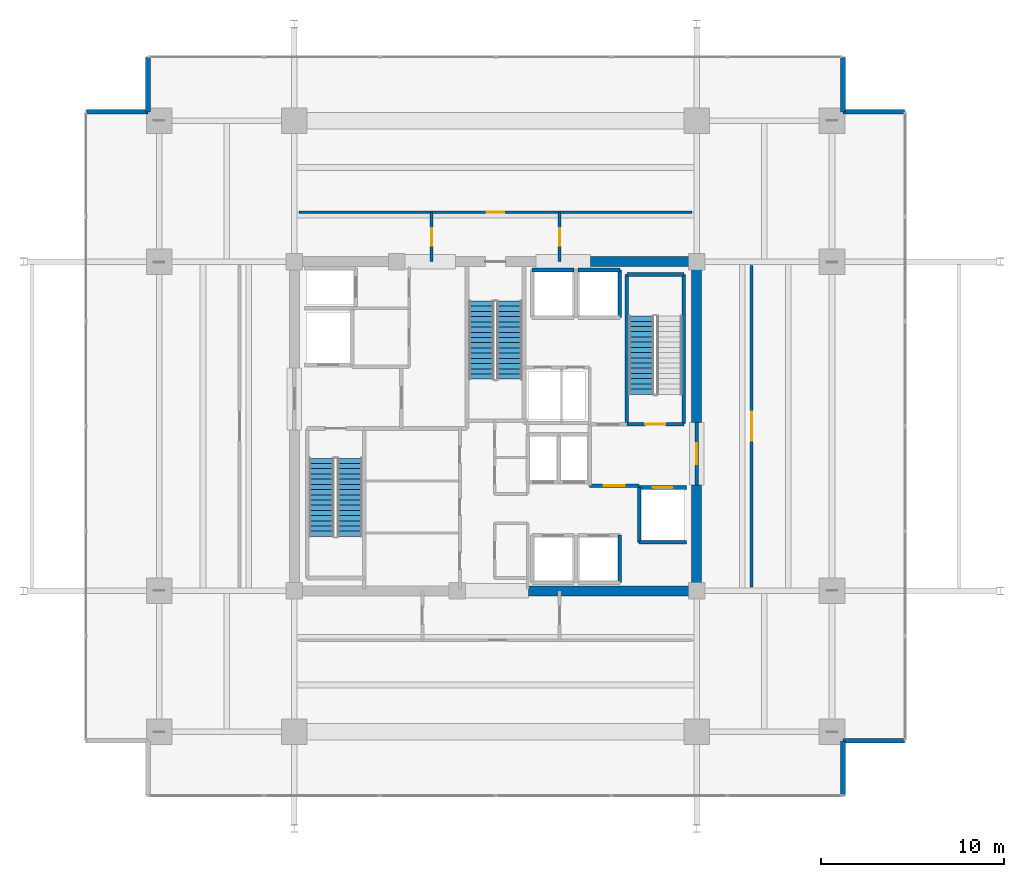
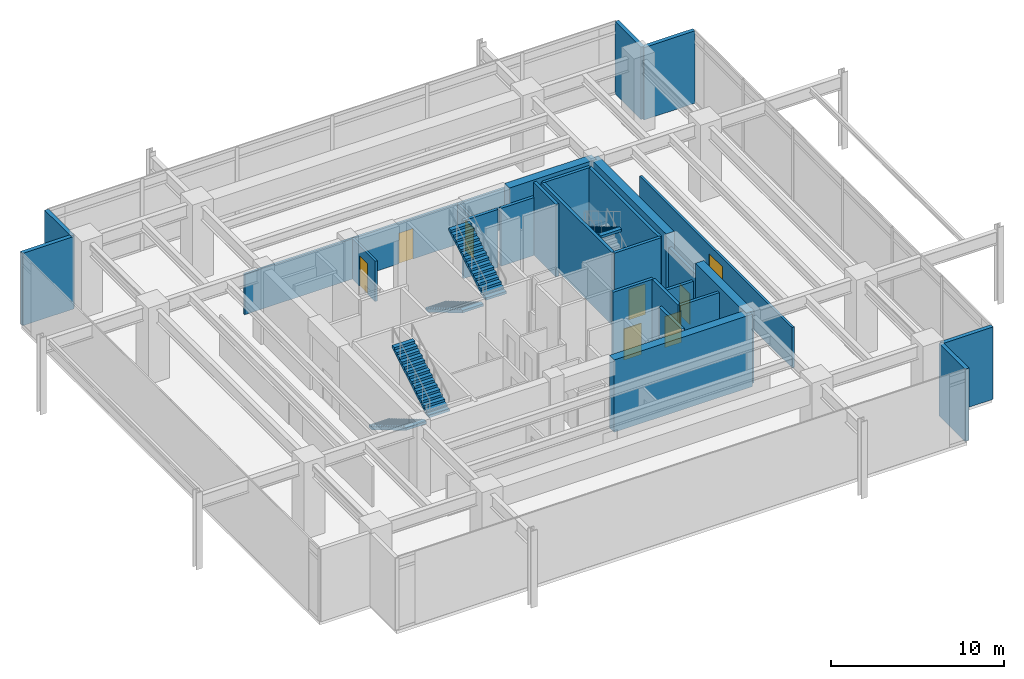
# One storey, part 22 of 24: 27 walls, 8 doors, 5 stair flights, 8 openings, 3 elements without a shape of their own.
"""IFC4 building model written with IfcOpenShell, lengths in metres."""

from ifc_helpers import new_model, si_unit, direction, frame, frame_2d, origin, place, context, subcontext, project, spatial, polyline, rectangle, outline, extrude, material, layer, layer_set, type_object, element, fill, aggregate, save


model = new_model("IFC4")

# Units and contexts
model_context = context("Model", 3, precision=1e-05, world=origin(), true_north=direction((0.0, 1.0)))
body_context = subcontext(model_context, "Body", "Model", "MODEL_VIEW")
ifc_project = project(units=[si_unit("LENGTHUNIT", "METRE"), si_unit("AREAUNIT", "SQUARE_METRE"), si_unit("VOLUMEUNIT", "CUBIC_METRE"), si_unit("PLANEANGLEUNIT", "RADIAN"), si_unit("MASSUNIT", "GRAM", prefix="KILO")], contexts=[model_context])

# Site, building, storey
site_placement = place(None, origin())
site = spatial("IfcSite", under=ifc_project, at=site_placement, CompositionType="ELEMENT")
building_placement = place(site_placement, origin())
building = spatial("IfcBuilding", under=site, at=building_placement, Name="Kovane Verandah Tower", CompositionType="ELEMENT")
storey_placement = place(building_placement, frame((0.0, 0.0, 194.800048828125)))
storey = spatial("IfcBuildingStorey", under=building, at=storey_placement, Name="L45", CompositionType="ELEMENT", Elevation=194.800048828125)

# Wall, opening, door
ifc_material_1 = material(Name="Fire-Rated Gypsum Stud Partition", Category="gypsum")
ifc_layer_1 = layer(ifc_material_1, 0.14990234375)
ifc_layer_set_1 = layer_set([ifc_layer_1], Name="Fire-Rated Gypsum Stud Partition")
wall_type_1 = type_object("IfcWallType", Name="WL-COR-150", PredefinedType="PARTITIONING", material=ifc_layer_set_1)
wall_1_placement = place(storey_placement, frame((36.5, 36.5, 0.0), z_axis=(0.0, 0.0, 1.0), x_axis=(0.0, 1.0, 0.0)))
wall_1 = element("IfcWall", 1, at=wall_1_placement, inside=storey, type_object=wall_type_1, Name="L45 North Refuge Stair Lobby West Fire Wall", PredefinedType="PARTITIONING", context=body_context, shape_type="SweptSolid", body=[
    extrude(rectangle(XDim=2.699951171875, YDim=0.14990234375, at=frame_2d((1.35009765625, 0.0))), origin(), (0.0, 0.0, 1.0), 2.849853515625),
])
opening_1_placement = place(wall_1_placement, frame((0.875, 0.0, 0.0)))
opening_1 = element("IfcOpeningElement", 2, at=opening_1_placement, cuts=wall_1, Name="Opening DR-L45-008", PredefinedType="OPENING", context=body_context, shape_type="SweptSolid", body=[
    extrude(rectangle(XDim=0.949951171875, YDim=2.14990234375, at=frame_2d((0.47509765625, 1.074951171875))), frame((0.0, 0.074951171875, 0.0), z_axis=(0.0, -1.0, 0.0), x_axis=(1.0, 0.0, 0.0)), (0.0, 0.0, 1.0), 0.14990234375),
])
ifc_material_2 = material(Name="Fire-Rated Steel Refuge and Lobby Door", Category="steel")
door_type_1 = type_object("IfcDoorType", Name="DR-FIRE-950", OperationType="SINGLE_SWING_LEFT", PredefinedType="DOOR", material=ifc_material_2)
door_1_placement = place(opening_1_placement, origin())
door_1 = element("IfcDoor", 3, at=door_1_placement, inside=storey, type_object=door_type_1, Name="L45 North Refuge Stair Lobby West Fire Door", OperationType="SINGLE_SWING_RIGHT", OverallHeight=2.14990234375, OverallWidth=0.949951171875, PredefinedType="DOOR", context=body_context, shape_type="SweptSolid", body=[
    extrude(rectangle(XDim=0.949951171875, YDim=2.14990234375, at=frame_2d((0.47509765625, 1.074951171875))), frame((0.0, 0.02490234375, 0.0), z_axis=(0.0, -1.0, 0.0), x_axis=(1.0, 0.0, 0.0)), (0.0, 0.0, 1.0), 0.050048828125),
])
fill(opening_1, door_1)

wall_2_placement = place(storey_placement, frame((43.5, 36.5, 0.0), z_axis=(0.0, 0.0, 1.0), x_axis=(0.0, 1.0, 0.0)))
wall_2 = element("IfcWall", 4, at=wall_2_placement, inside=storey, type_object=wall_type_1, Name="L45 North Refuge Stair Lobby East Fire Wall", PredefinedType="PARTITIONING", context=body_context, shape_type="SweptSolid", body=[
    extrude(rectangle(XDim=2.699951171875, YDim=0.14990234375, at=frame_2d((1.35009765625, 0.0))), origin(), (0.0, 0.0, 1.0), 2.849853515625),
])
opening_2_placement = place(wall_2_placement, frame((0.875, 0.0, 0.0)))
opening_2 = element("IfcOpeningElement", 5, at=opening_2_placement, cuts=wall_2, Name="Opening DR-L45-007", PredefinedType="OPENING", context=body_context, shape_type="SweptSolid", body=[
    extrude(rectangle(XDim=0.949951171875, YDim=2.14990234375, at=frame_2d((0.47509765625, 1.074951171875))), frame((0.0, 0.074951171875, 0.0), z_axis=(0.0, -1.0, 0.0), x_axis=(1.0, 0.0, 0.0)), (0.0, 0.0, 1.0), 0.14990234375),
])
door_2_placement = place(opening_2_placement, origin())
door_2 = element("IfcDoor", 6, at=door_2_placement, inside=storey, type_object=door_type_1, Name="L45 North Refuge Stair Lobby East Fire Door", OperationType="SINGLE_SWING_LEFT", OverallHeight=2.14990234375, OverallWidth=0.949951171875, PredefinedType="DOOR", context=body_context, shape_type="SweptSolid", body=[
    extrude(rectangle(XDim=0.949951171875, YDim=2.14990234375, at=frame_2d((0.47509765625, 1.074951171875))), frame((0.0, 0.02490234375, 0.0), z_axis=(0.0, -1.0, 0.0), x_axis=(1.0, 0.0, 0.0)), (0.0, 0.0, 1.0), 0.050048828125),
])
fill(opening_2, door_2)

wall_3_placement = place(storey_placement, frame((29.25, 39.199951171875, 0.0), z_axis=(0.0, 0.0, 1.0), x_axis=(1.0, 0.0, 0.0)))
wall_3 = element("IfcWall", 7, at=wall_3_placement, inside=storey, type_object=wall_type_1, Name="L45 Open-Sided Refuge Area North Corridor Partition", PredefinedType="PARTITIONING", context=body_context, shape_type="SweptSolid", body=[
    extrude(rectangle(XDim=21.5, YDim=0.14990234375, at=frame_2d((10.75, 0.0))), origin(), (0.0, 0.0, 1.0), 2.849853515625),
])
opening_3_placement = place(wall_3_placement, frame((10.27490234375, 0.0, 0.0)))
opening_3 = element("IfcOpeningElement", 8, at=opening_3_placement, cuts=wall_3, Name="Opening DR-L45-020", PredefinedType="OPENING", context=body_context, shape_type="SweptSolid", body=[
    extrude(rectangle(XDim=0.949951171875, YDim=2.14990234375, at=frame_2d((0.47509765625, 1.074951171875))), frame((0.0, 0.074951171875, 0.0), z_axis=(0.0, -1.0, 0.0), x_axis=(1.0, 0.0, 0.0)), (0.0, 0.0, 1.0), 0.14990234375),
])
door_3_placement = place(opening_3_placement, origin())
door_3 = element("IfcDoor", 9, at=door_3_placement, inside=storey, type_object=door_type_1, Name="L45 Open-Sided Refuge Area North Entrance Door", OperationType="SINGLE_SWING_RIGHT", OverallHeight=2.14990234375, OverallWidth=0.949951171875, PredefinedType="DOOR", context=body_context, shape_type="SweptSolid", body=[
    extrude(rectangle(XDim=0.949951171875, YDim=2.14990234375, at=frame_2d((0.47509765625, 1.074951171875))), frame((0.0, 0.02490234375, 0.0), z_axis=(0.0, -1.0, 0.0), x_axis=(1.0, 0.0, 0.0)), (0.0, 0.0, 1.0), 0.050048828125),
])
fill(opening_3, door_3)

wall_4_placement = place(storey_placement, frame((54.0, 18.699951171875, 0.0), z_axis=(0.0, 0.0, 1.0), x_axis=(0.0, 1.0, 0.0)))
wall_4 = element("IfcWall", 10, at=wall_4_placement, inside=storey, type_object=wall_type_1, Name="L45 Electrical Switchroom Plant East Corridor Partition", PredefinedType="PARTITIONING", context=body_context, shape_type="SweptSolid", body=[
    extrude(rectangle(XDim=17.60009765625, YDim=0.14990234375, at=frame_2d((8.800048828125, 0.0))), origin(), (0.0, 0.0, 1.0), 2.849853515625),
])
opening_4_placement = place(wall_4_placement, frame((8.0, 0.0, 0.0)))
opening_4 = element("IfcOpeningElement", 11, at=opening_4_placement, cuts=wall_4, Name="Opening DR-L45-014", PredefinedType="OPENING", context=body_context, shape_type="SweptSolid", body=[
    extrude(rectangle(XDim=1.60009765625, YDim=2.25, at=frame_2d((0.800048828125, 1.125))), frame((0.0, 0.074951171875, 0.0), z_axis=(0.0, -1.0, 0.0), x_axis=(1.0, 0.0, 0.0)), (0.0, 0.0, 1.0), 0.14990234375),
])
ifc_material_3 = material(Name="Louvred Acoustic Steel Double Plant Door", Category="steel")
door_type_2 = type_object("IfcDoorType", Name="DR-PLANT-1600", OperationType="DOUBLE_DOOR_SINGLE_SWING", PredefinedType="DOOR", material=ifc_material_3)
door_4_placement = place(opening_4_placement, origin())
door_4 = element("IfcDoor", 12, at=door_4_placement, inside=storey, type_object=door_type_2, Name="L45 Electrical Switchroom Plant East Entrance Door", OperationType="DOUBLE_DOOR_SINGLE_SWING", OverallHeight=2.25, OverallWidth=1.60009765625, PredefinedType="DOOR", context=body_context, shape_type="SweptSolid", body=[
    extrude(rectangle(XDim=1.60009765625, YDim=2.25, at=frame_2d((0.800048828125, 1.125))), frame((0.0, 0.02490234375, 0.0), z_axis=(0.0, -1.0, 0.0), x_axis=(1.0, 0.0, 0.0)), (0.0, 0.0, 1.0), 0.050048828125),
])
fill(opening_4, door_4)

# Walls
ifc_material_4 = material(Name="Concrete C60/75", Category="concrete")
ifc_layer_2 = layer(ifc_material_4, 0.550048828125)
ifc_layer_set_2 = layer_set([ifc_layer_2], Name="Concrete C60/75")
wall_type_2 = type_object("IfcWallType", Name="WL-CORE-550", PredefinedType="SHEAR", material=ifc_layer_set_2)
wall_5_placement = place(storey_placement, frame((41.800048828125, 18.5, 0.0), z_axis=(0.0, 0.0, 1.0), x_axis=(1.0, 0.0, 0.0)))
element("IfcWall", 13, at=wall_5_placement, inside=storey, type_object=wall_type_2, Name="L45 Core Shear Wall CS-2", PredefinedType="SHEAR", context=body_context, shape_type="SweptSolid", body=[
    extrude(rectangle(XDim=9.199951171875, YDim=0.550048828125, at=frame_2d((4.60009765625, 0.0))), origin(), (0.0, 0.0, 1.0), 5.099853515625),
])
for number, where, z_axis, x_axis, name in (
    (14, (45.199951171875, 36.5, 0.0), (0.0, 0.0, 1.0), (1.0, 0.0, 0.0), "L45 Core Shear Wall CN-3"),
    (15, (51.0, 18.5, 0.0), (0.0, 0.0, 1.0), (0.0, 1.0, 0.0), "L45 Core Shear Wall CE-1"),
):
    element("IfcWall", number, at=place(storey_placement, frame(where, z_axis=z_axis, x_axis=x_axis)), inside=storey, type_object=wall_type_2, Name=name, PredefinedType="SHEAR", context=body_context, shape_type="SweptSolid", body=[
        extrude(rectangle(XDim=5.800048828125, YDim=0.550048828125, at=frame_2d((2.89990234375, 0.0))), origin(), (0.0, 0.0, 1.0), 5.099853515625),
    ])
wall_6_placement = place(storey_placement, frame((51.0, 27.699951171875, 0.0), z_axis=(0.0, 0.0, 1.0), x_axis=(0.0, 1.0, 0.0)))
element("IfcWall", 16, at=wall_6_placement, inside=storey, type_object=wall_type_2, Name="L45 Core Shear Wall CE-2", PredefinedType="SHEAR", context=body_context, shape_type="SweptSolid", body=[
    extrude(rectangle(XDim=8.800048828125, YDim=0.550048828125, at=frame_2d((4.39990234375, 0.0))), origin(), (0.0, 0.0, 1.0), 5.099853515625),
])

# Wall, opening, door
ifc_material_5 = material(Name="Concrete C45/55 Fire Wall", Category="concrete")
ifc_layer_3 = layer(ifc_material_5, 0.199951171875)
ifc_layer_set_3 = layer_set([ifc_layer_3], Name="Concrete C45/55 Fire Wall")
wall_type_3 = type_object("IfcWallType", Name="WL-FFL-200", PredefinedType="PARTITIONING", material=ifc_layer_set_3)
wall_7_placement = place(storey_placement, frame((45.14990234375, 24.25, 0.0), z_axis=(0.0, 0.0, 1.0), x_axis=(1.0, 0.0, 0.0)))
wall_7 = element("IfcWall", 17, at=wall_7_placement, inside=storey, type_object=wall_type_3, Name="W-L45-FFLE-S", PredefinedType="PARTITIONING", context=body_context, shape_type="SweptSolid", body=[
    extrude(rectangle(XDim=2.7001953125, YDim=0.199951171875, at=frame_2d((1.35009765625, 0.0))), origin(), (0.0, 0.0, 1.0), 5.099853515625),
])
opening_5_placement = place(wall_7_placement, frame((0.77490234375, 0.0, 0.0)))
opening_5 = element("IfcOpeningElement", 18, at=opening_5_placement, cuts=wall_7, Name="Opening DR-L45-001", PredefinedType="OPENING", context=body_context, shape_type="SweptSolid", body=[
    extrude(rectangle(XDim=1.14990234375, YDim=2.199951171875, at=frame_2d((0.574951171875, 1.10009765625))), frame((0.0, 0.10009765625, 0.0), z_axis=(0.0, -1.0, 0.0), x_axis=(1.0, 0.0, 0.0)), (0.0, 0.0, 1.0), 0.199951171875),
])
ifc_material_6 = material(Name="Smoke-Sealed Firefighting Lobby Door", Category="steel")
door_type_3 = type_object("IfcDoorType", Name="DR-FFL-1150", OperationType="SINGLE_SWING_LEFT", PredefinedType="DOOR", material=ifc_material_6)
door_5_placement = place(opening_5_placement, origin())
door_5 = element("IfcDoor", 19, at=door_5_placement, inside=storey, type_object=door_type_3, Name="L45 East Firefighting Lobby Inner Door", OperationType="SINGLE_SWING_RIGHT", OverallHeight=2.199951171875, OverallWidth=1.14990234375, PredefinedType="DOOR", context=body_context, shape_type="SweptSolid", body=[
    extrude(rectangle(XDim=1.14990234375, YDim=2.199951171875, at=frame_2d((0.574951171875, 1.10009765625))), frame((0.0, 0.02490234375, 0.0), z_axis=(0.0, -1.0, 0.0), x_axis=(1.0, 0.0, 0.0)), (0.0, 0.0, 1.0), 0.050048828125),
])
fill(opening_5, door_5)

wall_8_placement = place(storey_placement, frame((51.0, 24.300048828125, 0.0), z_axis=(0.0, 0.0, 1.0), x_axis=(0.0, 1.0, 0.0)))
wall_8 = element("IfcWall", 20, at=wall_8_placement, inside=storey, type_object=wall_type_3, Name="W-L45-FFLE-OUT", PredefinedType="PARTITIONING", context=body_context, shape_type="SweptSolid", body=[
    extrude(rectangle(XDim=3.39990234375, YDim=0.199951171875, at=frame_2d((1.699951171875, 0.0))), origin(), (0.0, 0.0, 1.0), 4.079833984375),
])
opening_6_placement = place(wall_8_placement, frame((1.125, 0.0, 0.0)))
opening_6 = element("IfcOpeningElement", 21, at=opening_6_placement, cuts=wall_8, Name="Opening DR-L45-003", PredefinedType="OPENING", context=body_context, shape_type="SweptSolid", body=[
    extrude(rectangle(XDim=1.14990234375, YDim=2.199951171875, at=frame_2d((0.574951171875, 1.10009765625))), frame((0.0, 0.10009765625, 0.0), z_axis=(0.0, -1.0, 0.0), x_axis=(1.0, 0.0, 0.0)), (0.0, 0.0, 1.0), 0.199951171875),
])
door_6_placement = place(opening_6_placement, origin())
door_6 = element("IfcDoor", 22, at=door_6_placement, inside=storey, type_object=door_type_3, Name="L45 East Firefighting Lobby Corridor Door", OperationType="SINGLE_SWING_LEFT", OverallHeight=2.199951171875, OverallWidth=1.14990234375, PredefinedType="DOOR", context=body_context, shape_type="SweptSolid", body=[
    extrude(rectangle(XDim=1.14990234375, YDim=2.199951171875, at=frame_2d((0.574951171875, 1.10009765625))), frame((0.0, 0.02490234375, 0.0), z_axis=(0.0, -1.0, 0.0), x_axis=(1.0, 0.0, 0.0)), (0.0, 0.0, 1.0), 0.050048828125),
])
fill(opening_6, door_6)

# Wall
ifc_material_7 = material(Name="Concrete C45/55 Lift Shaft Wall", Category="concrete")
ifc_layer_4 = layer(ifc_material_7, 0.199951171875)
ifc_layer_set_4 = layer_set([ifc_layer_4], Name="Concrete C45/55 Lift Shaft Wall")
wall_type_4 = type_object("IfcWallType", Name="WL-LIFT-200", PredefinedType="SOLIDWALL", material=ifc_layer_set_4)
wall_9_placement = place(storey_placement, frame((47.85009765625, 21.14990234375, 0.0), z_axis=(0.0, 0.0, 1.0), x_axis=(1.0, 0.0, 0.0)))
element("IfcWall", 23, at=wall_9_placement, inside=storey, type_object=wall_type_4, Name="L45 Lift FL-02 S Shaft Wall", PredefinedType="SOLIDWALL", context=body_context, shape_type="SweptSolid", body=[
    extrude(rectangle(XDim=2.599853515625, YDim=0.199951171875, at=frame_2d((1.2998046875, 0.0))), origin(), (0.0, 0.0, 1.0), 5.099853515625),
])

# Wall, opening, door
wall_10_placement = place(storey_placement, frame((50.449951171875, 24.14990234375, 0.0), z_axis=(0.0, 0.0, 1.0), x_axis=(-1.0, 0.0, 0.0)))
wall_10 = element("IfcWall", 24, at=wall_10_placement, inside=storey, type_object=wall_type_4, Name="L45 Lift FL-02 N Shaft Wall", PredefinedType="SOLIDWALL", context=body_context, shape_type="SweptSolid", body=[
    extrude(rectangle(XDim=2.599853515625, YDim=0.199951171875, at=frame_2d((1.2998046875, 0.0))), origin(), (0.0, 0.0, 1.0), 4.079833984375),
])
opening_7_placement = place(wall_10_placement, frame((0.75, 0.0, 0.0)))
opening_7 = element("IfcOpeningElement", 25, at=opening_7_placement, cuts=wall_10, Name="Opening LD-L45-002", PredefinedType="OPENING", context=body_context, shape_type="SweptSolid", body=[
    extrude(rectangle(XDim=1.10009765625, YDim=2.199951171875, at=frame_2d((0.550048828125, 1.10009765625))), frame((0.0, 0.10009765625, 0.0), z_axis=(0.0, -1.0, 0.0), x_axis=(1.0, 0.0, 0.0)), (0.0, 0.0, 1.0), 0.199951171875),
])
ifc_material_8 = material(Name="Brushed Stainless Steel Sliding Lift Landing Door", Category="steel")
door_type_4 = type_object("IfcDoorType", Name="DR-LIFT-1100", OperationType="SLIDING_TO_RIGHT", PredefinedType="DOOR", material=ifc_material_8)
door_7_placement = place(opening_7_placement, origin())
door_7 = element("IfcDoor", 26, at=door_7_placement, inside=storey, type_object=door_type_4, Name="L45 Lift FL-02 Sliding Landing Door", OperationType="SLIDING_TO_RIGHT", OverallHeight=2.199951171875, OverallWidth=1.10009765625, PredefinedType="DOOR", context=body_context, shape_type="SweptSolid", body=[
    extrude(rectangle(XDim=1.10009765625, YDim=2.199951171875, at=frame_2d((0.550048828125, 1.10009765625))), frame((0.0, 0.02490234375, 0.0), z_axis=(0.0, -1.0, 0.0), x_axis=(1.0, 0.0, 0.0)), (0.0, 0.0, 1.0), 0.050048828125),
])
fill(opening_7, door_7)

# Walls
wall_11_placement = place(storey_placement, frame((47.85009765625, 24.14990234375, 0.0), z_axis=(0.0, 0.0, 1.0), x_axis=(0.0, -1.0, 0.0)))
element("IfcWall", 27, at=wall_11_placement, inside=storey, type_object=wall_type_4, Name="L45 Lift FL-02 W Shaft Wall", PredefinedType="SOLIDWALL", context=body_context, shape_type="SweptSolid", body=[
    extrude(rectangle(XDim=3.0, YDim=0.199951171875, at=frame_2d((1.5, 0.0))), origin(), (0.0, 0.0, 1.0), 5.099853515625),
])
wall_12_placement = place(storey_placement, frame((46.800048828125, 18.949951171875, 0.0), z_axis=(0.0, 0.0, 1.0), x_axis=(0.0, 1.0, 0.0)))
element("IfcWall", 28, at=wall_12_placement, inside=storey, type_object=wall_type_4, Name="L45 Lift PL-M2 E Shaft Wall", PredefinedType="SOLIDWALL", context=body_context, shape_type="SweptSolid", body=[
    extrude(rectangle(XDim=2.60009765625, YDim=0.199951171875, at=frame_2d((1.300048828125, 0.0))), origin(), (0.0, 0.0, 1.0), 5.099853515625),
])
for number, where, z_axis, x_axis, name in (
    (29, (44.300048828125, 36.050048828125, 0.0), (0.0, 0.0, 1.0), (-1.0, 0.0, 0.0), "L45 Lift SL-01 N Shaft Wall"),
    (30, (46.800048828125, 36.050048828125, 0.0), (0.0, 0.0, 1.0), (-1.0, 0.0, 0.0), "L45 Lift OL-01 N Shaft Wall"),
):
    element("IfcWall", number, at=place(storey_placement, frame(where, z_axis=z_axis, x_axis=x_axis)), inside=storey, type_object=wall_type_4, Name=name, PredefinedType="SOLIDWALL", context=body_context, shape_type="SweptSolid", body=[
        extrude(rectangle(XDim=2.300048828125, YDim=0.199951171875, at=frame_2d((1.14990234375, 0.0))), origin(), (0.0, 0.0, 1.0), 4.079833984375),
    ])
wall_13_placement = place(storey_placement, frame((46.800048828125, 33.449951171875, 0.0), z_axis=(0.0, 0.0, 1.0), x_axis=(0.0, 1.0, 0.0)))
element("IfcWall", 31, at=wall_13_placement, inside=storey, type_object=wall_type_4, Name="L45 Lift OL-01 E Shaft Wall", PredefinedType="SOLIDWALL", context=body_context, shape_type="SweptSolid", body=[
    extrude(rectangle(XDim=2.60009765625, YDim=0.199951171875, at=frame_2d((1.300048828125, 0.0))), origin(), (0.0, 0.0, 1.0), 5.099853515625),
])
ifc_material_9 = material(Name="Concrete C45/55", Category="concrete")
ifc_layer_5 = layer(ifc_material_9, 0.199951171875)
ifc_layer_set_5 = layer_set([ifc_layer_5], Name="Concrete C45/55")
wall_type_5 = type_object("IfcWallType", Name="WL-SHAFT-200", PredefinedType="SOLIDWALL", material=ifc_layer_set_5)
wall_14_placement = place(storey_placement, frame((50.300048828125, 27.64990234375, 0.0), z_axis=(0.0, 0.0, 1.0), x_axis=(0.0, 1.0, 0.0)))
element("IfcWall", 32, at=wall_14_placement, inside=storey, type_object=wall_type_5, Name="W-L45-ST02-E", PredefinedType="SOLIDWALL", context=body_context, shape_type="SweptSolid", body=[
    extrude(rectangle(XDim=8.150146484375, YDim=0.199951171875, at=frame_2d((4.0751953125, 0.0))), origin(), (0.0, 0.0, 1.0), 5.099853515625),
])
wall_15_placement = place(storey_placement, frame((47.179931640625, 35.800048828125, 0.0), z_axis=(0.0, 0.0, 1.0), x_axis=(1.0, 0.0, 0.0)))
element("IfcWall", 33, at=wall_15_placement, inside=storey, type_object=wall_type_5, Name="W-L45-ST02-N", PredefinedType="SOLIDWALL", context=body_context, shape_type="SweptSolid", body=[
    extrude(rectangle(XDim=3.1201171875, YDim=0.199951171875, at=frame_2d((1.56005859375, 0.0))), origin(), (0.0, 0.0, 1.0), 5.099853515625),
])
wall_16_placement = place(storey_placement, frame((47.179931640625, 27.6201171875, 0.0), z_axis=(0.0, 0.0, 1.0), x_axis=(0.0, 1.0, 0.0)))
element("IfcWall", 34, at=wall_16_placement, inside=storey, type_object=wall_type_5, Name="W-L45-ST02-W", PredefinedType="SOLIDWALL", context=body_context, shape_type="SweptSolid", body=[
    extrude(rectangle(XDim=8.179931640625, YDim=0.199951171875, at=frame_2d((4.08984375, 0.0))), origin(), (0.0, 0.0, 1.0), 5.099853515625),
])

# Wall, opening, door
wall_17_placement = place(storey_placement, frame((47.179931640625, 27.6201171875, 0.0), z_axis=(0.0, 0.0, 1.0), x_axis=(1.0, 0.0, 0.0)))
wall_17 = element("IfcWall", 35, at=wall_17_placement, inside=storey, type_object=wall_type_5, Name="W-L45-ST02-S", PredefinedType="SOLIDWALL", context=body_context, shape_type="SweptSolid", body=[
    extrude(rectangle(XDim=3.1201171875, YDim=0.199951171875, at=frame_2d((1.56005859375, 0.0))), origin(), (0.0, 0.0, 1.0), 5.099853515625),
])
opening_8_placement = place(wall_17_placement, frame((1.010009765625, 0.0, 0.0)))
opening_8 = element("IfcOpeningElement", 36, at=opening_8_placement, cuts=wall_17, Name="Opening DR-L45-012", PredefinedType="OPENING", context=body_context, shape_type="SweptSolid", body=[
    extrude(rectangle(XDim=1.10009765625, YDim=2.14990234375, at=frame_2d((0.550048828125, 1.074951171875))), frame((0.0, 0.10009765625, 0.0), z_axis=(0.0, -1.0, 0.0), x_axis=(1.0, 0.0, 0.0)), (0.0, 0.0, 1.0), 0.199951171875),
])
ifc_material_10 = material(Name="Fire-Rated Steel Exit Door", Category="steel")
door_type_5 = type_object("IfcDoorType", Name="DR-STAIR-1100", OperationType="SINGLE_SWING_LEFT", PredefinedType="DOOR", material=ifc_material_10)
door_8_placement = place(opening_8_placement, origin())
door_8 = element("IfcDoor", 37, at=door_8_placement, inside=storey, type_object=door_type_5, Name="L45 ST-02 Fire Exit Stair Door", OperationType="SINGLE_SWING_RIGHT", OverallHeight=2.14990234375, OverallWidth=1.10009765625, PredefinedType="DOOR", context=body_context, shape_type="SweptSolid", body=[
    extrude(rectangle(XDim=1.10009765625, YDim=2.14990234375, at=frame_2d((0.550048828125, 1.074951171875))), frame((0.0, 0.02490234375, 0.0), z_axis=(0.0, -1.0, 0.0), x_axis=(1.0, 0.0, 0.0)), (0.0, 0.0, 1.0), 0.050048828125),
])
fill(opening_8, door_8)

# Walls
ifc_material_11 = material(Name="Concrete C45/55 Insulated Spandrel Wall", Category="concrete")
ifc_layer_6 = layer(ifc_material_11, 0.260009765625)
ifc_layer_set_6 = layer_set([ifc_layer_6], Name="Concrete C45/55 Insulated Spandrel Wall")
wall_type_6 = type_object("IfcWallType", Name="WL-SPANDREL-260", PredefinedType="PARAPET", material=ifc_layer_set_6)
wall_18_placement = place(storey_placement, frame((59.0, 7.300048828125, 0.0), z_axis=(0.0, 0.0, 1.0), x_axis=(0.0, 1.0, 0.0)))
element("IfcWall", 38, at=wall_18_placement, inside=storey, type_object=wall_type_6, Name="L45 SE Notch Cheek Wall 1", PredefinedType="PARAPET", context=body_context, shape_type="SweptSolid", body=[
    extrude(rectangle(XDim=3.0, YDim=0.260009765625, at=frame_2d((1.5, 0.0))), origin(), (0.0, 0.0, 1.0), 5.099853515625),
])
for number, where, z_axis, x_axis, name in (
    (39, (59.0, 10.300048828125, 0.0), (0.0, 0.0, 1.0), (1.0, 0.0, 0.0), "L45 SE Notch Cheek Wall 2"),
    (40, (62.39990234375, 44.699951171875, 0.0), (0.0, 0.0, 1.0), (-1.0, 0.0, 0.0), "L45 NE Notch Cheek Wall 1"),
):
    element("IfcWall", number, at=place(storey_placement, frame(where, z_axis=z_axis, x_axis=x_axis)), inside=storey, type_object=wall_type_6, Name=name, PredefinedType="PARAPET", context=body_context, shape_type="SweptSolid", body=[
        extrude(rectangle(XDim=3.39990234375, YDim=0.260009765625, at=frame_2d((1.699951171875, 0.0))), origin(), (0.0, 0.0, 1.0), 5.099853515625),
    ])
for number, where, z_axis, x_axis, name in (
    (41, (59.0, 44.699951171875, 0.0), (0.0, 0.0, 1.0), (0.0, 1.0, 0.0), "L45 NE Notch Cheek Wall 2"),
    (42, (21.0, 47.699951171875, 0.0), (0.0, 0.0, 1.0), (0.0, -1.0, 0.0), "L45 NW Notch Cheek Wall 1"),
):
    element("IfcWall", number, at=place(storey_placement, frame(where, z_axis=z_axis, x_axis=x_axis)), inside=storey, type_object=wall_type_6, Name=name, PredefinedType="PARAPET", context=body_context, shape_type="SweptSolid", body=[
        extrude(rectangle(XDim=3.0, YDim=0.260009765625, at=frame_2d((1.5, 0.0))), origin(), (0.0, 0.0, 1.0), 5.099853515625),
    ])
wall_19_placement = place(storey_placement, frame((21.0, 44.699951171875, 0.0), z_axis=(0.0, 0.0, 1.0), x_axis=(-1.0, 0.0, 0.0)))
element("IfcWall", 43, at=wall_19_placement, inside=storey, type_object=wall_type_6, Name="L45 NW Notch Cheek Wall 2", PredefinedType="PARAPET", context=body_context, shape_type="SweptSolid", body=[
    extrude(rectangle(XDim=3.39990234375, YDim=0.260009765625, at=frame_2d((1.699951171875, 0.0))), origin(), (0.0, 0.0, 1.0), 5.099853515625),
])

# Stair, stair flights
stair_type = type_object("IfcStairType", Name="ST-CORE-1380", PredefinedType="HALF_TURN_STAIR", material=ifc_material_9)
stair_1_placement = place(storey_placement, origin())
stair_1 = element("IfcStair", 44, at=stair_1_placement, inside=storey, type_object=stair_type, Name="L45 Exit Stair ST-01", PredefinedType="HALF_TURN_STAIR")
stair_flight_type = type_object("IfcStairFlightType", Name="STF-CORE-1380", PredefinedType="STRAIGHT", material=ifc_material_9)
stair_flight_1_placement = place(storey_placement, frame((30.489990234375, 25.75, 0.0), z_axis=(0.0, 0.0, 1.0), x_axis=(0.0, -1.0, 0.0)))
stair_flight_1 = element("IfcStairFlight", 45, at=stair_flight_1_placement, type_object=stair_flight_type, Name="ST-01 flight 1", NumberOfRisers=16, NumberOfTreads=15, PredefinedType="STRAIGHT", RiserHeight=0.16875, TreadLength=0.285, context=body_context, shape_type="SweptSolid", body=[
    extrude(outline(polyline([(0.0, 0.0), (0.0, 0.168701171875), (0.284912109375, 0.168701171875), (0.284912109375, 0.33740234375), (0.570068359375, 0.33740234375), (0.570068359375, 0.50634765625), (0.85498046875, 0.50634765625), (0.85498046875, 0.675048828125), (1.139892578125, 0.675048828125), (1.139892578125, 0.84375), (1.425048828125, 0.84375), (1.425048828125, 1.012451171875), (1.7099609375, 1.012451171875), (1.7099609375, 1.18115234375), (1.9951171875, 1.18115234375), (1.9951171875, 1.35009765625), (2.280029296875, 1.35009765625), (2.280029296875, 1.518798828125), (2.56494140625, 1.518798828125), (2.56494140625, 1.6875), (2.85009765625, 1.6875), (2.85009765625, 1.856201171875), (3.135009765625, 1.856201171875), (3.135009765625, 2.02490234375), (3.419921875, 2.02490234375), (3.419921875, 2.19384765625), (3.705078125, 2.19384765625), (3.705078125, 2.362548828125), (3.989990234375, 2.362548828125), (3.989990234375, 2.53125), (4.27490234375, 2.53125), (4.27490234375, 2.699951171875), (4.27490234375, 2.35693359375), (0.294189453125, 0.0), (0.0, 0.0)])), frame((0.0, 0.68994140625, 0.0), z_axis=(0.0, -1.0, 0.0), x_axis=(1.0, 0.0, 0.0)), (0.0, 0.0, 1.0), 1.3798828125),
])
stair_flight_2_placement = place(storey_placement, frame((32.030029296875, 21.47509765625, 2.699951171875), z_axis=(0.0, 0.0, 1.0), x_axis=(0.0, 1.0, 0.0)))
stair_flight_2 = element("IfcStairFlight", 46, at=stair_flight_2_placement, type_object=stair_flight_type, Name="ST-01 flight 2", NumberOfRisers=16, NumberOfTreads=15, PredefinedType="STRAIGHT", RiserHeight=0.16875, TreadLength=0.285, context=body_context, shape_type="SweptSolid", body=[
    extrude(outline(polyline([(0.0, 0.0), (0.0, 0.168701171875), (0.284912109375, 0.168701171875), (0.284912109375, 0.33740234375), (0.570068359375, 0.33740234375), (0.570068359375, 0.50634765625), (0.85498046875, 0.50634765625), (0.85498046875, 0.675048828125), (1.139892578125, 0.675048828125), (1.139892578125, 0.84375), (1.425048828125, 0.84375), (1.425048828125, 1.012451171875), (1.7099609375, 1.012451171875), (1.7099609375, 1.18115234375), (1.9951171875, 1.18115234375), (1.9951171875, 1.35009765625), (2.280029296875, 1.35009765625), (2.280029296875, 1.518798828125), (2.56494140625, 1.518798828125), (2.56494140625, 1.6875), (2.85009765625, 1.6875), (2.85009765625, 1.856201171875), (3.135009765625, 1.856201171875), (3.135009765625, 2.02490234375), (3.419921875, 2.02490234375), (3.419921875, 2.19384765625), (3.705078125, 2.19384765625), (3.705078125, 2.362548828125), (3.989990234375, 2.362548828125), (3.989990234375, 2.53125), (4.27490234375, 2.53125), (4.27490234375, 2.699951171875), (4.27490234375, 2.35693359375), (0.294189453125, 0.0), (0.0, 0.0)])), frame((0.0, 0.68994140625, 0.0), z_axis=(0.0, -1.0, 0.0), x_axis=(1.0, 0.0, 0.0)), (0.0, 0.0, 1.0), 1.3798828125),
])
aggregate(stair_1, [stair_flight_1, stair_flight_2])

# Stair, stair flight
stair_2_placement = place(storey_placement, origin())
stair_2 = element("IfcStair", 47, at=stair_2_placement, inside=storey, type_object=stair_type, Name="L45 Exit Stair ST-02", PredefinedType="HALF_TURN_STAIR")
stair_flight_3_placement = place(storey_placement, frame((47.969970703125, 33.52490234375, 2.699951171875), z_axis=(0.0, 0.0, 1.0), x_axis=(0.0, -1.0, 0.0)))
stair_flight_3 = element("IfcStairFlight", 48, at=stair_flight_3_placement, type_object=stair_flight_type, Name="ST-02 flight 2", NumberOfRisers=16, NumberOfTreads=15, PredefinedType="STRAIGHT", RiserHeight=0.16875, TreadLength=0.285, context=body_context, shape_type="SweptSolid", body=[
    extrude(outline(polyline([(0.0, 0.0), (0.0, 0.168701171875), (0.284912109375, 0.168701171875), (0.284912109375, 0.33740234375), (0.570068359375, 0.33740234375), (0.570068359375, 0.50634765625), (0.85498046875, 0.50634765625), (0.85498046875, 0.675048828125), (1.139892578125, 0.675048828125), (1.139892578125, 0.84375), (1.425048828125, 0.84375), (1.425048828125, 1.012451171875), (1.7099609375, 1.012451171875), (1.7099609375, 1.18115234375), (1.9951171875, 1.18115234375), (1.9951171875, 1.35009765625), (2.280029296875, 1.35009765625), (2.280029296875, 1.518798828125), (2.56494140625, 1.518798828125), (2.56494140625, 1.6875), (2.85009765625, 1.6875), (2.85009765625, 1.856201171875), (3.135009765625, 1.856201171875), (3.135009765625, 2.02490234375), (3.419921875, 2.02490234375), (3.419921875, 2.19384765625), (3.705078125, 2.19384765625), (3.705078125, 2.362548828125), (3.989990234375, 2.362548828125), (3.989990234375, 2.53125), (4.27490234375, 2.53125), (4.27490234375, 2.699951171875), (4.27490234375, 2.35693359375), (0.294189453125, 0.0), (0.0, 0.0)])), frame((0.0, 0.68994140625, 0.0), z_axis=(0.0, -1.0, 0.0), x_axis=(1.0, 0.0, 0.0)), (0.0, 0.0, 1.0), 1.3798828125),
])
aggregate(stair_2, [stair_flight_3])

# Stair, stair flights
stair_3_placement = place(storey_placement, origin())
stair_3 = element("IfcStair", 49, at=stair_3_placement, inside=storey, type_object=stair_type, Name="L45 Exit Stair ST-03", PredefinedType="HALF_TURN_STAIR")
stair_flight_4_placement = place(storey_placement, frame((39.22998046875, 34.35009765625, 0.0), z_axis=(0.0, 0.0, 1.0), x_axis=(0.0, -1.0, 0.0)))
stair_flight_4 = element("IfcStairFlight", 50, at=stair_flight_4_placement, type_object=stair_flight_type, Name="ST-03 flight 1", NumberOfRisers=16, NumberOfTreads=15, PredefinedType="STRAIGHT", RiserHeight=0.16875, TreadLength=0.285, context=body_context, shape_type="SweptSolid", body=[
    extrude(outline(polyline([(0.0, 0.0), (0.0, 0.168701171875), (0.284912109375, 0.168701171875), (0.284912109375, 0.33740234375), (0.570068359375, 0.33740234375), (0.570068359375, 0.50634765625), (0.85498046875, 0.50634765625), (0.85498046875, 0.675048828125), (1.139892578125, 0.675048828125), (1.139892578125, 0.84375), (1.425048828125, 0.84375), (1.425048828125, 1.012451171875), (1.7099609375, 1.012451171875), (1.7099609375, 1.18115234375), (1.9951171875, 1.18115234375), (1.9951171875, 1.35009765625), (2.280029296875, 1.35009765625), (2.280029296875, 1.518798828125), (2.56494140625, 1.518798828125), (2.56494140625, 1.6875), (2.85009765625, 1.6875), (2.85009765625, 1.856201171875), (3.135009765625, 1.856201171875), (3.135009765625, 2.02490234375), (3.419921875, 2.02490234375), (3.419921875, 2.19384765625), (3.705078125, 2.19384765625), (3.705078125, 2.362548828125), (3.989990234375, 2.362548828125), (3.989990234375, 2.53125), (4.27490234375, 2.53125), (4.27490234375, 2.699951171875), (4.27490234375, 2.35693359375), (0.294189453125, 0.0), (0.0, 0.0)])), frame((0.0, 0.68994140625, 0.0), z_axis=(0.0, -1.0, 0.0), x_axis=(1.0, 0.0, 0.0)), (0.0, 0.0, 1.0), 1.3798828125),
])
stair_flight_5_placement = place(storey_placement, frame((40.77001953125, 30.074951171875, 2.699951171875), z_axis=(0.0, 0.0, 1.0), x_axis=(0.0, 1.0, 0.0)))
stair_flight_5 = element("IfcStairFlight", 51, at=stair_flight_5_placement, type_object=stair_flight_type, Name="ST-03 flight 2", NumberOfRisers=16, NumberOfTreads=15, PredefinedType="STRAIGHT", RiserHeight=0.16875, TreadLength=0.285, context=body_context, shape_type="SweptSolid", body=[
    extrude(outline(polyline([(0.0, 0.0), (0.0, 0.168701171875), (0.284912109375, 0.168701171875), (0.284912109375, 0.33740234375), (0.570068359375, 0.33740234375), (0.570068359375, 0.50634765625), (0.85498046875, 0.50634765625), (0.85498046875, 0.675048828125), (1.139892578125, 0.675048828125), (1.139892578125, 0.84375), (1.425048828125, 0.84375), (1.425048828125, 1.012451171875), (1.7099609375, 1.012451171875), (1.7099609375, 1.18115234375), (1.9951171875, 1.18115234375), (1.9951171875, 1.35009765625), (2.280029296875, 1.35009765625), (2.280029296875, 1.518798828125), (2.56494140625, 1.518798828125), (2.56494140625, 1.6875), (2.85009765625, 1.6875), (2.85009765625, 1.856201171875), (3.135009765625, 1.856201171875), (3.135009765625, 2.02490234375), (3.419921875, 2.02490234375), (3.419921875, 2.19384765625), (3.705078125, 2.19384765625), (3.705078125, 2.362548828125), (3.989990234375, 2.362548828125), (3.989990234375, 2.53125), (4.27490234375, 2.53125), (4.27490234375, 2.699951171875), (4.27490234375, 2.35693359375), (0.294189453125, 0.0), (0.0, 0.0)])), frame((0.0, 0.68994140625, 0.0), z_axis=(0.0, -1.0, 0.0), x_axis=(1.0, 0.0, 0.0)), (0.0, 0.0, 1.0), 1.3798828125),
])
aggregate(stair_3, [stair_flight_4, stair_flight_5])

save(model, "model.ifc")
